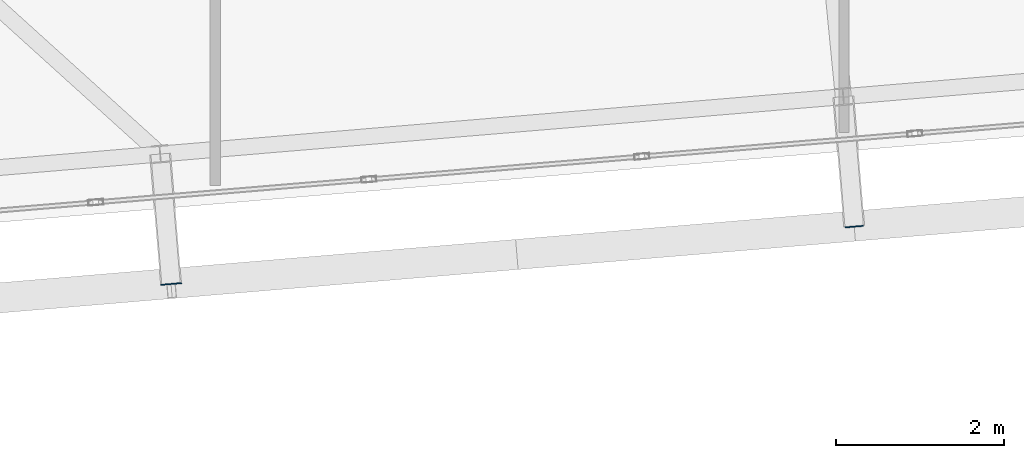
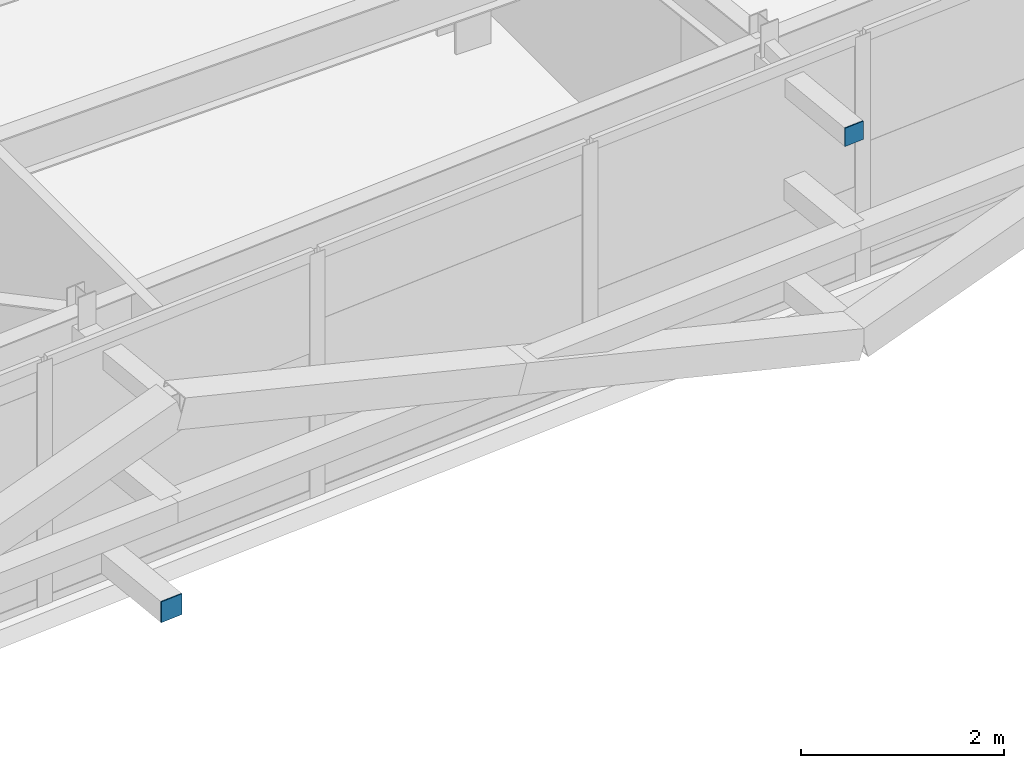
# One storey, part 35 of 46: 2 plates.
"""IFC4 building model written with IfcOpenShell, lengths in metres."""

from ifc_helpers import new_model, si_unit, direction, frame, origin, origin_2d, place, context, subcontext, project, spatial, rectangle, extrude, source, transform, mapped, material, layer, layer_set, type_object, element, save


model = new_model("IFC4")

# Units and contexts
model_context = context("Model", 3, precision=1e-05, world=origin(), true_north=direction((0.0, 1.0)))
body_context = subcontext(model_context, "Body", "Model", "MODEL_VIEW")
ifc_project = project(units=[si_unit("LENGTHUNIT", "METRE"), si_unit("AREAUNIT", "SQUARE_METRE"), si_unit("VOLUMEUNIT", "CUBIC_METRE"), si_unit("PLANEANGLEUNIT", "RADIAN"), si_unit("MASSUNIT", "GRAM", prefix="KILO")], contexts=[model_context])

# Site, building, storey
site_placement = place(None, origin())
site = spatial("IfcSite", under=ifc_project, at=site_placement, CompositionType="ELEMENT")
building_placement = place(site_placement, origin())
building = spatial("IfcBuilding", under=site, at=building_placement, Name="Taldren Reach Tower", CompositionType="ELEMENT")
storey_placement = place(building_placement, frame((0.0, 0.0, 188.300048828125)))
storey = spatial("IfcBuildingStorey", under=building, at=storey_placement, Name="L57", CompositionType="ELEMENT", Elevation=188.300048828125)

# Plates
ifc_material_1 = material(Name="Steel Gr 350 (C350L0)", Category="steel")
ifc_layer_1 = layer(ifc_material_1, 0.011962890625)
ifc_layer_set_1 = layer_set([ifc_layer_1], Name="Steel Gr 350 (C350L0)")
plate_type_1 = type_object("IfcPlateType", Name="PL-CAP-250", PredefinedType="SHEET", material=ifc_layer_set_1)
shared_shape_1 = source(origin(), body_context, "Body", "SweptSolid", [
    extrude(rectangle(XDim=0.25, YDim=0.011962890625, at=origin_2d()), origin(), (0.0, 0.0, 1.0), 0.25),
])
plate_1_placement = place(storey_placement, frame((34.472412109375, 1.912353515625, 0.094970703125), z_axis=(0.0, 0.0, 1.0), x_axis=(0.99649285925, 0.083677843332, 0.0)))
element("IfcPlate", 1, at=plate_1_placement, inside=storey, type_object=plate_type_1, Name="Tie strut end cap plate B4-S3 L57", PredefinedType="SHEET", context=body_context, shape_type="MappedRepresentation", body=[
    mapped(shared_shape_1, transform((0.0, 0.0, 0.0), scale=1.0)),
])
ifc_material_2 = material(Name="Steel Gr 450 (C450L0)", Category="steel")
ifc_layer_2 = layer(ifc_material_2, 0.011962890625)
ifc_layer_set_2 = layer_set([ifc_layer_2], Name="Steel Gr 450 (C450L0)")
plate_type_2 = type_object("IfcPlateType", Name="PL-CAP-220", PredefinedType="SHEET", material=ifc_layer_set_2)
shared_shape_2 = source(origin(), body_context, "Body", "SweptSolid", [
    extrude(rectangle(XDim=0.219970703125, YDim=0.011962890625, at=origin_2d()), origin(), (0.0, 0.0, 1.0), 0.219970703125),
])
plate_2_placement = place(storey_placement, frame((42.623779296875, 2.596923828125, 2.5400390625), z_axis=(0.0, 0.0, 1.0), x_axis=(0.99649285925, 0.083677843332, 0.0)))
element("IfcPlate", 2, at=plate_2_placement, inside=storey, type_object=plate_type_2, Name="Tie strut end cap plate B4-S4 L57", PredefinedType="SHEET", context=body_context, shape_type="MappedRepresentation", body=[
    mapped(shared_shape_2, transform((0.0, 0.0, 0.0), scale=1.0)),
])

save(model, "model.ifc")
